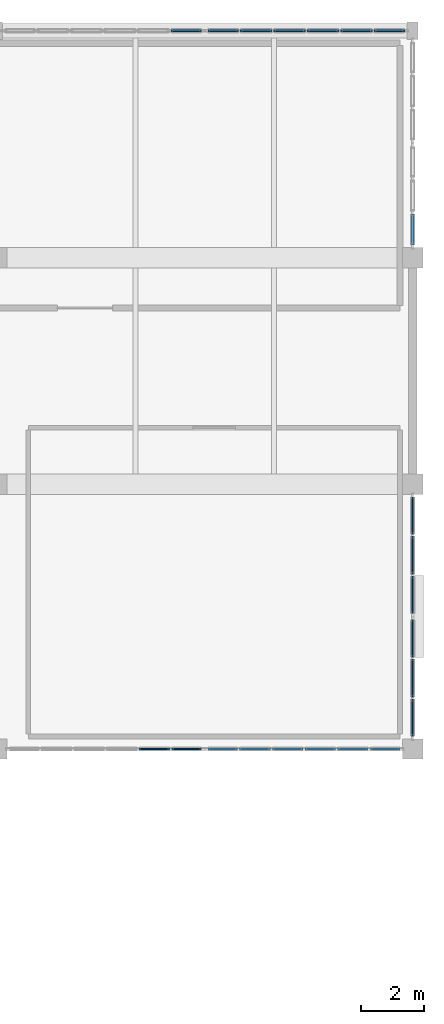
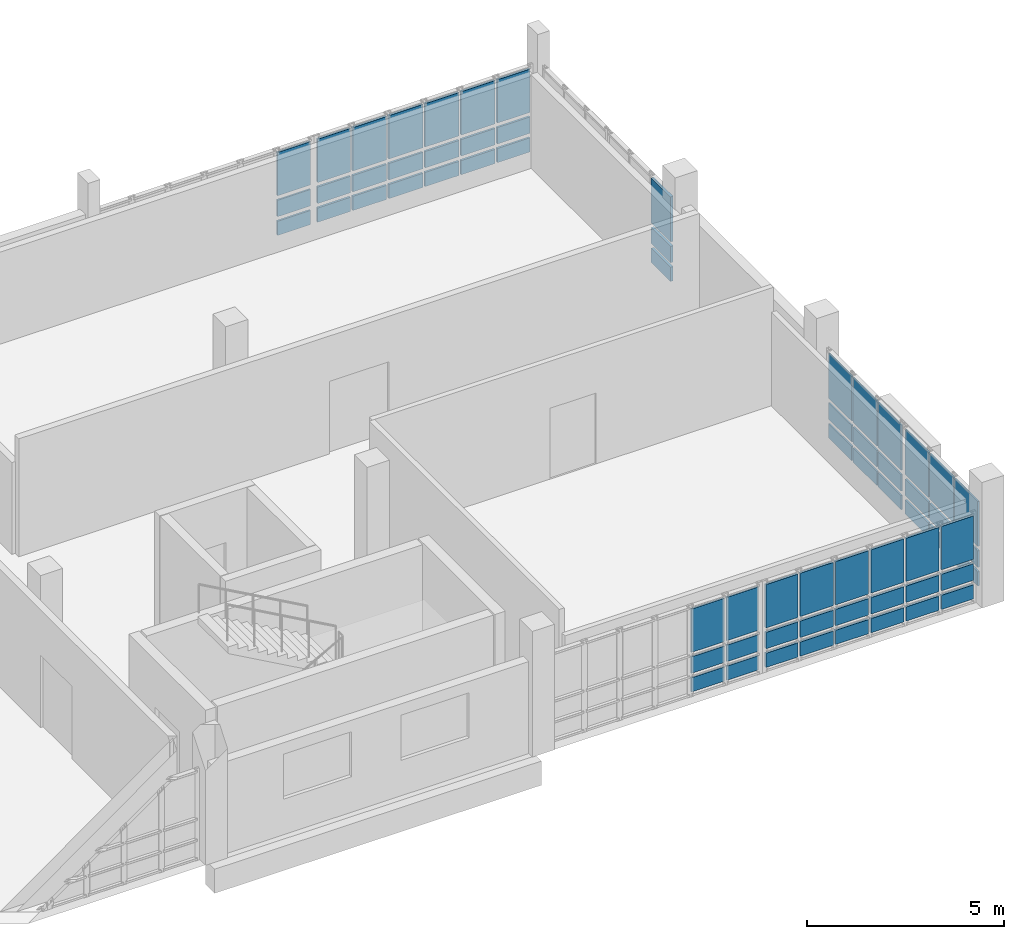
# One storey, part 19 of 25: 66 plates, 7 elements without a shape of their own.
"""IFC4 building model written with IfcOpenShell, lengths in metres."""

from ifc_helpers import new_model, si_unit, direction, frame, origin, origin_2d, place, context, subcontext, project, spatial, rectangle, extrude, material, layer, layer_set, type_object, element, aggregate, save


model = new_model("IFC4")

# Units and contexts
model_context = context("Model", 3, precision=1e-05, world=origin(), true_north=direction((0.0, 1.0)))
body_context = subcontext(model_context, "Body", "Model", "MODEL_VIEW")
ifc_project = project(units=[si_unit("LENGTHUNIT", "METRE"), si_unit("AREAUNIT", "SQUARE_METRE"), si_unit("VOLUMEUNIT", "CUBIC_METRE"), si_unit("PLANEANGLEUNIT", "RADIAN"), si_unit("MASSUNIT", "GRAM", prefix="KILO")], contexts=[model_context])

# Site, building, storey
site_placement = place(None, origin())
site = spatial("IfcSite", under=ifc_project, at=site_placement, CompositionType="ELEMENT")
building_placement = place(site_placement, origin())
building = spatial("IfcBuilding", under=site, at=building_placement, Name="Kisaragi Civic Commons", CompositionType="ELEMENT")
storey_placement = place(building_placement, frame((0.0, 0.0, 13.5)))
storey = spatial("IfcBuildingStorey", under=building, at=storey_placement, Name="L03", CompositionType="ELEMENT", Elevation=13.5)

# Curtain wall, plates
ifc_material = material(Name="Thermally broken anodized aluminium and low-E double glazing", Category="aluminium")
ifc_layer_1 = layer(ifc_material, 0.179931640625, Name="Thermally broken anodized aluminium and low-E double glazing", Category="aluminium")
ifc_layer_set_1 = layer_set([ifc_layer_1], Name="Thermally broken anodized aluminium and low-E double glazing")
curtain_wall_type = type_object("IfcCurtainWallType", Name="CW-01", PredefinedType="NOTDEFINED", material=ifc_layer_set_1)
curtain_wall_1_placement = place(storey_placement, origin())
curtain_wall_1 = element("IfcCurtainWall", 1, at=curtain_wall_1_placement, inside=storey, type_object=curtain_wall_type, Name="L03 curtain wall CW-01 CW-V4-L03-105", PredefinedType="NOTDEFINED")
ifc_layer_2 = layer(ifc_material, 0.0439453125, Name="Thermally broken anodized aluminium and low-E double glazing", Category="aluminium")
ifc_layer_set_2 = layer_set([ifc_layer_2], Name="Thermally broken anodized aluminium and low-E double glazing")
plate_type_1 = type_object("IfcPlateType", Name="CWP-01", PredefinedType="CURTAIN_PANEL", material=ifc_layer_set_2)
plate_1_placement = place(storey_placement, frame((146.39990234375, 103.406982421875, 0.14013671875), z_axis=(0.0, 0.0, 1.0), x_axis=(0.0, -1.0, 0.0)))
plate_1 = element("IfcPlate", 2, at=plate_1_placement, type_object=plate_type_1, Name="CW-01 panel 1.1", PredefinedType="CURTAIN_PANEL", context=body_context, shape_type="SweptSolid", body=[
    extrude(rectangle(XDim=1.17578125, YDim=0.0439453125, at=origin_2d()), origin(), (0.0, 0.0, 1.0), 0.43994140625),
])
plate_2_placement = place(storey_placement, frame((146.39990234375, 103.406982421875, 0.72021484375), z_axis=(0.0, 0.0, 1.0), x_axis=(0.0, -1.0, 0.0)))
plate_2 = element("IfcPlate", 3, at=plate_2_placement, type_object=plate_type_1, Name="CW-01 panel 1.2", PredefinedType="CURTAIN_PANEL", context=body_context, shape_type="SweptSolid", body=[
    extrude(rectangle(XDim=1.17578125, YDim=0.0439453125, at=origin_2d()), origin(), (0.0, 0.0, 1.0), 0.510009765625),
])
plate_3_placement = place(storey_placement, frame((146.39990234375, 103.406982421875, 1.369873046875), z_axis=(0.0, 0.0, 1.0), x_axis=(0.0, -1.0, 0.0)))
plate_3 = element("IfcPlate", 4, at=plate_3_placement, type_object=plate_type_1, Name="CW-01 panel 1.3", PredefinedType="CURTAIN_PANEL", context=body_context, shape_type="SweptSolid", body=[
    extrude(rectangle(XDim=1.17578125, YDim=0.0439453125, at=origin_2d()), origin(), (0.0, 0.0, 1.0), 1.39501953125),
])
plate_4_placement = place(storey_placement, frame((146.39990234375, 102.14990234375, 0.14013671875), z_axis=(0.0, 0.0, 1.0), x_axis=(0.0, -1.0, 0.0)))
plate_4 = element("IfcPlate", 5, at=plate_4_placement, type_object=plate_type_1, Name="CW-01 panel 2.1", PredefinedType="CURTAIN_PANEL", context=body_context, shape_type="SweptSolid", body=[
    extrude(rectangle(XDim=1.208251953125, YDim=0.0439453125, at=origin_2d()), origin(), (0.0, 0.0, 1.0), 0.43994140625),
])
plate_5_placement = place(storey_placement, frame((146.39990234375, 102.14990234375, 0.72021484375), z_axis=(0.0, 0.0, 1.0), x_axis=(0.0, -1.0, 0.0)))
plate_5 = element("IfcPlate", 6, at=plate_5_placement, type_object=plate_type_1, Name="CW-01 panel 2.2", PredefinedType="CURTAIN_PANEL", context=body_context, shape_type="SweptSolid", body=[
    extrude(rectangle(XDim=1.208251953125, YDim=0.0439453125, at=origin_2d()), origin(), (0.0, 0.0, 1.0), 0.510009765625),
])
plate_6_placement = place(storey_placement, frame((146.39990234375, 102.14990234375, 1.369873046875), z_axis=(0.0, 0.0, 1.0), x_axis=(0.0, -1.0, 0.0)))
plate_6 = element("IfcPlate", 7, at=plate_6_placement, type_object=plate_type_1, Name="CW-01 panel 2.3", PredefinedType="CURTAIN_PANEL", context=body_context, shape_type="SweptSolid", body=[
    extrude(rectangle(XDim=1.208251953125, YDim=0.0439453125, at=origin_2d()), origin(), (0.0, 0.0, 1.0), 1.39501953125),
])
plate_7_placement = place(storey_placement, frame((146.39990234375, 100.892822265625, 0.14013671875), z_axis=(0.0, 0.0, 1.0), x_axis=(0.0, -1.0, 0.0)))
plate_7 = element("IfcPlate", 8, at=plate_7_placement, type_object=plate_type_1, Name="CW-01 panel 3.1", PredefinedType="CURTAIN_PANEL", context=body_context, shape_type="SweptSolid", body=[
    extrude(rectangle(XDim=1.17578125, YDim=0.0439453125, at=origin_2d()), origin(), (0.0, 0.0, 1.0), 0.43994140625),
])
plate_8_placement = place(storey_placement, frame((146.39990234375, 100.892822265625, 0.72021484375), z_axis=(0.0, 0.0, 1.0), x_axis=(0.0, -1.0, 0.0)))
plate_8 = element("IfcPlate", 9, at=plate_8_placement, type_object=plate_type_1, Name="CW-01 panel 3.2", PredefinedType="CURTAIN_PANEL", context=body_context, shape_type="SweptSolid", body=[
    extrude(rectangle(XDim=1.17578125, YDim=0.0439453125, at=origin_2d()), origin(), (0.0, 0.0, 1.0), 0.510009765625),
])
plate_9_placement = place(storey_placement, frame((146.39990234375, 100.892822265625, 1.369873046875), z_axis=(0.0, 0.0, 1.0), x_axis=(0.0, -1.0, 0.0)))
plate_9 = element("IfcPlate", 10, at=plate_9_placement, type_object=plate_type_1, Name="CW-01 panel 3.3", PredefinedType="CURTAIN_PANEL", context=body_context, shape_type="SweptSolid", body=[
    extrude(rectangle(XDim=1.17578125, YDim=0.0439453125, at=origin_2d()), origin(), (0.0, 0.0, 1.0), 1.39501953125),
])
aggregate(curtain_wall_1, [plate_1, plate_2, plate_3, plate_4, plate_5, plate_6, plate_7, plate_8, plate_9])

curtain_wall_2_placement = place(storey_placement, origin())
curtain_wall_2 = element("IfcCurtainWall", 11, at=curtain_wall_2_placement, inside=storey, type_object=curtain_wall_type, Name="L03 curtain wall CW-01 CW-V4-L03-106", PredefinedType="NOTDEFINED")
ifc_layer_3 = layer(ifc_material, 0.052001953125, Name="Thermally broken anodized aluminium and low-E double glazing", Category="aluminium")
ifc_layer_set_3 = layer_set([ifc_layer_3], Name="Thermally broken anodized aluminium and low-E double glazing")
plate_type_2 = type_object("IfcPlateType", Name="CWP-02", PredefinedType="CURTAIN_PANEL", material=ifc_layer_set_3)
plate_10_placement = place(storey_placement, frame((146.39990234375, 99.507080078125, 0.14013671875), z_axis=(0.0, 0.0, 1.0), x_axis=(0.0, -1.0, 0.0)))
plate_10 = element("IfcPlate", 12, at=plate_10_placement, type_object=plate_type_2, Name="CW-01 panel 1.1", PredefinedType="CURTAIN_PANEL", context=body_context, shape_type="SweptSolid", body=[
    extrude(rectangle(XDim=1.17578125, YDim=0.052001953125, at=origin_2d()), origin(), (0.0, 0.0, 1.0), 0.43994140625),
])
plate_11_placement = place(storey_placement, frame((146.39990234375, 99.507080078125, 0.72021484375), z_axis=(0.0, 0.0, 1.0), x_axis=(0.0, -1.0, 0.0)))
plate_11 = element("IfcPlate", 13, at=plate_11_placement, type_object=plate_type_2, Name="CW-01 panel 1.2", PredefinedType="CURTAIN_PANEL", context=body_context, shape_type="SweptSolid", body=[
    extrude(rectangle(XDim=1.17578125, YDim=0.052001953125, at=origin_2d()), origin(), (0.0, 0.0, 1.0), 0.510009765625),
])
plate_12_placement = place(storey_placement, frame((146.39990234375, 99.507080078125, 1.369873046875), z_axis=(0.0, 0.0, 1.0), x_axis=(0.0, -1.0, 0.0)))
plate_12 = element("IfcPlate", 14, at=plate_12_placement, type_object=plate_type_2, Name="CW-01 panel 1.3", PredefinedType="CURTAIN_PANEL", context=body_context, shape_type="SweptSolid", body=[
    extrude(rectangle(XDim=1.17578125, YDim=0.052001953125, at=origin_2d()), origin(), (0.0, 0.0, 1.0), 1.39501953125),
])
plate_13_placement = place(storey_placement, frame((146.39990234375, 98.25, 0.14013671875), z_axis=(0.0, 0.0, 1.0), x_axis=(0.0, -1.0, 0.0)))
plate_13 = element("IfcPlate", 15, at=plate_13_placement, type_object=plate_type_2, Name="CW-01 panel 2.1", PredefinedType="CURTAIN_PANEL", context=body_context, shape_type="SweptSolid", body=[
    extrude(rectangle(XDim=1.208251953125, YDim=0.052001953125, at=origin_2d()), origin(), (0.0, 0.0, 1.0), 0.43994140625),
])
plate_14_placement = place(storey_placement, frame((146.39990234375, 98.25, 0.72021484375), z_axis=(0.0, 0.0, 1.0), x_axis=(0.0, -1.0, 0.0)))
plate_14 = element("IfcPlate", 16, at=plate_14_placement, type_object=plate_type_2, Name="CW-01 panel 2.2", PredefinedType="CURTAIN_PANEL", context=body_context, shape_type="SweptSolid", body=[
    extrude(rectangle(XDim=1.208251953125, YDim=0.052001953125, at=origin_2d()), origin(), (0.0, 0.0, 1.0), 0.510009765625),
])
plate_15_placement = place(storey_placement, frame((146.39990234375, 98.25, 1.369873046875), z_axis=(0.0, 0.0, 1.0), x_axis=(0.0, -1.0, 0.0)))
plate_15 = element("IfcPlate", 17, at=plate_15_placement, type_object=plate_type_2, Name="CW-01 panel 2.3", PredefinedType="CURTAIN_PANEL", context=body_context, shape_type="SweptSolid", body=[
    extrude(rectangle(XDim=1.208251953125, YDim=0.052001953125, at=origin_2d()), origin(), (0.0, 0.0, 1.0), 1.39501953125),
])
plate_16_placement = place(storey_placement, frame((146.39990234375, 96.992919921875, 0.14013671875), z_axis=(0.0, 0.0, 1.0), x_axis=(0.0, -1.0, 0.0)))
plate_16 = element("IfcPlate", 18, at=plate_16_placement, type_object=plate_type_2, Name="CW-01 panel 3.1", PredefinedType="CURTAIN_PANEL", context=body_context, shape_type="SweptSolid", body=[
    extrude(rectangle(XDim=1.17578125, YDim=0.052001953125, at=origin_2d()), origin(), (0.0, 0.0, 1.0), 0.43994140625),
])
plate_17_placement = place(storey_placement, frame((146.39990234375, 96.992919921875, 0.72021484375), z_axis=(0.0, 0.0, 1.0), x_axis=(0.0, -1.0, 0.0)))
plate_17 = element("IfcPlate", 19, at=plate_17_placement, type_object=plate_type_2, Name="CW-01 panel 3.2", PredefinedType="CURTAIN_PANEL", context=body_context, shape_type="SweptSolid", body=[
    extrude(rectangle(XDim=1.17578125, YDim=0.052001953125, at=origin_2d()), origin(), (0.0, 0.0, 1.0), 0.510009765625),
])
plate_18_placement = place(storey_placement, frame((146.39990234375, 96.992919921875, 1.369873046875), z_axis=(0.0, 0.0, 1.0), x_axis=(0.0, -1.0, 0.0)))
plate_18 = element("IfcPlate", 20, at=plate_18_placement, type_object=plate_type_2, Name="CW-01 panel 3.3", PredefinedType="CURTAIN_PANEL", context=body_context, shape_type="SweptSolid", body=[
    extrude(rectangle(XDim=1.17578125, YDim=0.052001953125, at=origin_2d()), origin(), (0.0, 0.0, 1.0), 1.39501953125),
])
aggregate(curtain_wall_2, [plate_10, plate_11, plate_12, plate_13, plate_14, plate_15, plate_16, plate_17, plate_18])

curtain_wall_3_placement = place(storey_placement, origin())
curtain_wall_3 = element("IfcCurtainWall", 21, at=curtain_wall_3_placement, inside=storey, type_object=curtain_wall_type, Name="L03 curtain wall CW-01 CW-V4-L03-107", PredefinedType="NOTDEFINED")
ifc_layer_4 = layer(ifc_material, 0.06396484375, Name="Thermally broken anodized aluminium and low-E double glazing", Category="aluminium")
ifc_layer_set_4 = layer_set([ifc_layer_4], Name="Thermally broken anodized aluminium and low-E double glazing")
plate_type_3 = type_object("IfcPlateType", Name="CWP-04", PredefinedType="CURTAIN_PANEL", material=ifc_layer_set_4)
plate_19_placement = place(storey_placement, frame((145.525390625, 96.0, 0.14013671875), z_axis=(0.0, 0.0, 1.0), x_axis=(-1.0, 0.0, 0.0)))
plate_19 = element("IfcPlate", 22, at=plate_19_placement, type_object=plate_type_3, Name="CW-01 panel 1.1", PredefinedType="CURTAIN_PANEL", context=body_context, shape_type="SweptSolid", body=[
    extrude(rectangle(XDim=0.939208984375, YDim=0.06396484375, at=origin_2d()), origin(), (0.0, 0.0, 1.0), 0.43994140625),
])
plate_20_placement = place(storey_placement, frame((145.525390625, 96.0, 0.72021484375), z_axis=(0.0, 0.0, 1.0), x_axis=(-1.0, 0.0, 0.0)))
plate_20 = element("IfcPlate", 23, at=plate_20_placement, type_object=plate_type_3, Name="CW-01 panel 1.2", PredefinedType="CURTAIN_PANEL", context=body_context, shape_type="SweptSolid", body=[
    extrude(rectangle(XDim=0.939208984375, YDim=0.06396484375, at=origin_2d()), origin(), (0.0, 0.0, 1.0), 0.510009765625),
])
plate_21_placement = place(storey_placement, frame((145.525390625, 96.0, 1.3701171875), z_axis=(0.0, 0.0, 1.0), x_axis=(-1.0, 0.0, 0.0)))
plate_21 = element("IfcPlate", 24, at=plate_21_placement, type_object=plate_type_3, Name="CW-01 panel 1.3", PredefinedType="CURTAIN_PANEL", context=body_context, shape_type="SweptSolid", body=[
    extrude(rectangle(XDim=0.939208984375, YDim=0.06396484375, at=origin_2d()), origin(), (0.0, 0.0, 1.0), 1.344970703125),
])
plate_22_placement = place(storey_placement, frame((144.5048828125, 96.0, 0.14013671875), z_axis=(0.0, 0.0, 1.0), x_axis=(-1.0, 0.0, 0.0)))
plate_22 = element("IfcPlate", 25, at=plate_22_placement, type_object=plate_type_3, Name="CW-01 panel 2.1", PredefinedType="CURTAIN_PANEL", context=body_context, shape_type="SweptSolid", body=[
    extrude(rectangle(XDim=0.9716796875, YDim=0.06396484375, at=origin_2d()), origin(), (0.0, 0.0, 1.0), 0.43994140625),
])
plate_23_placement = place(storey_placement, frame((144.5048828125, 96.0, 0.72021484375), z_axis=(0.0, 0.0, 1.0), x_axis=(-1.0, 0.0, 0.0)))
plate_23 = element("IfcPlate", 26, at=plate_23_placement, type_object=plate_type_3, Name="CW-01 panel 2.2", PredefinedType="CURTAIN_PANEL", context=body_context, shape_type="SweptSolid", body=[
    extrude(rectangle(XDim=0.9716796875, YDim=0.06396484375, at=origin_2d()), origin(), (0.0, 0.0, 1.0), 0.510009765625),
])
plate_24_placement = place(storey_placement, frame((144.5048828125, 96.0, 1.3701171875), z_axis=(0.0, 0.0, 1.0), x_axis=(-1.0, 0.0, 0.0)))
plate_24 = element("IfcPlate", 27, at=plate_24_placement, type_object=plate_type_3, Name="CW-01 panel 2.3", PredefinedType="CURTAIN_PANEL", context=body_context, shape_type="SweptSolid", body=[
    extrude(rectangle(XDim=0.9716796875, YDim=0.06396484375, at=origin_2d()), origin(), (0.0, 0.0, 1.0), 1.344970703125),
])
plate_25_placement = place(storey_placement, frame((143.46826171875, 96.0, 0.14013671875), z_axis=(0.0, 0.0, 1.0), x_axis=(-1.0, 0.0, 0.0)))
plate_25 = element("IfcPlate", 28, at=plate_25_placement, type_object=plate_type_3, Name="CW-01 panel 3.1", PredefinedType="CURTAIN_PANEL", context=body_context, shape_type="SweptSolid", body=[
    extrude(rectangle(XDim=0.9716796875, YDim=0.06396484375, at=origin_2d()), origin(), (0.0, 0.0, 1.0), 0.43994140625),
])
plate_26_placement = place(storey_placement, frame((143.46826171875, 96.0, 0.72021484375), z_axis=(0.0, 0.0, 1.0), x_axis=(-1.0, 0.0, 0.0)))
plate_26 = element("IfcPlate", 29, at=plate_26_placement, type_object=plate_type_3, Name="CW-01 panel 3.2", PredefinedType="CURTAIN_PANEL", context=body_context, shape_type="SweptSolid", body=[
    extrude(rectangle(XDim=0.9716796875, YDim=0.06396484375, at=origin_2d()), origin(), (0.0, 0.0, 1.0), 0.510009765625),
])
plate_27_placement = place(storey_placement, frame((143.46826171875, 96.0, 1.3701171875), z_axis=(0.0, 0.0, 1.0), x_axis=(-1.0, 0.0, 0.0)))
plate_27 = element("IfcPlate", 30, at=plate_27_placement, type_object=plate_type_3, Name="CW-01 panel 3.3", PredefinedType="CURTAIN_PANEL", context=body_context, shape_type="SweptSolid", body=[
    extrude(rectangle(XDim=0.9716796875, YDim=0.06396484375, at=origin_2d()), origin(), (0.0, 0.0, 1.0), 1.344970703125),
])
plate_28_placement = place(storey_placement, frame((142.431640625, 96.0, 0.14013671875), z_axis=(0.0, 0.0, 1.0), x_axis=(-1.0, 0.0, 0.0)))
plate_28 = element("IfcPlate", 31, at=plate_28_placement, type_object=plate_type_3, Name="CW-01 panel 4.1", PredefinedType="CURTAIN_PANEL", context=body_context, shape_type="SweptSolid", body=[
    extrude(rectangle(XDim=0.9716796875, YDim=0.06396484375, at=origin_2d()), origin(), (0.0, 0.0, 1.0), 0.43994140625),
])
plate_29_placement = place(storey_placement, frame((142.431640625, 96.0, 0.72021484375), z_axis=(0.0, 0.0, 1.0), x_axis=(-1.0, 0.0, 0.0)))
plate_29 = element("IfcPlate", 32, at=plate_29_placement, type_object=plate_type_3, Name="CW-01 panel 4.2", PredefinedType="CURTAIN_PANEL", context=body_context, shape_type="SweptSolid", body=[
    extrude(rectangle(XDim=0.9716796875, YDim=0.06396484375, at=origin_2d()), origin(), (0.0, 0.0, 1.0), 0.510009765625),
])
plate_30_placement = place(storey_placement, frame((142.431640625, 96.0, 1.3701171875), z_axis=(0.0, 0.0, 1.0), x_axis=(-1.0, 0.0, 0.0)))
plate_30 = element("IfcPlate", 33, at=plate_30_placement, type_object=plate_type_3, Name="CW-01 panel 4.3", PredefinedType="CURTAIN_PANEL", context=body_context, shape_type="SweptSolid", body=[
    extrude(rectangle(XDim=0.9716796875, YDim=0.06396484375, at=origin_2d()), origin(), (0.0, 0.0, 1.0), 1.344970703125),
])
plate_31_placement = place(storey_placement, frame((141.39501953125, 96.0, 0.14013671875), z_axis=(0.0, 0.0, 1.0), x_axis=(-1.0, 0.0, 0.0)))
plate_31 = element("IfcPlate", 34, at=plate_31_placement, type_object=plate_type_3, Name="CW-01 panel 5.1", PredefinedType="CURTAIN_PANEL", context=body_context, shape_type="SweptSolid", body=[
    extrude(rectangle(XDim=0.9716796875, YDim=0.06396484375, at=origin_2d()), origin(), (0.0, 0.0, 1.0), 0.43994140625),
])
plate_32_placement = place(storey_placement, frame((141.39501953125, 96.0, 0.72021484375), z_axis=(0.0, 0.0, 1.0), x_axis=(-1.0, 0.0, 0.0)))
plate_32 = element("IfcPlate", 35, at=plate_32_placement, type_object=plate_type_3, Name="CW-01 panel 5.2", PredefinedType="CURTAIN_PANEL", context=body_context, shape_type="SweptSolid", body=[
    extrude(rectangle(XDim=0.9716796875, YDim=0.06396484375, at=origin_2d()), origin(), (0.0, 0.0, 1.0), 0.510009765625),
])
plate_33_placement = place(storey_placement, frame((141.39501953125, 96.0, 1.3701171875), z_axis=(0.0, 0.0, 1.0), x_axis=(-1.0, 0.0, 0.0)))
plate_33 = element("IfcPlate", 36, at=plate_33_placement, type_object=plate_type_3, Name="CW-01 panel 5.3", PredefinedType="CURTAIN_PANEL", context=body_context, shape_type="SweptSolid", body=[
    extrude(rectangle(XDim=0.9716796875, YDim=0.06396484375, at=origin_2d()), origin(), (0.0, 0.0, 1.0), 1.344970703125),
])
plate_34_placement = place(storey_placement, frame((140.37451171875, 96.0, 0.14013671875), z_axis=(0.0, 0.0, 1.0), x_axis=(-1.0, 0.0, 0.0)))
plate_34 = element("IfcPlate", 37, at=plate_34_placement, type_object=plate_type_3, Name="CW-01 panel 6.1", PredefinedType="CURTAIN_PANEL", context=body_context, shape_type="SweptSolid", body=[
    extrude(rectangle(XDim=0.939208984375, YDim=0.06396484375, at=origin_2d()), origin(), (0.0, 0.0, 1.0), 0.43994140625),
])
plate_35_placement = place(storey_placement, frame((140.37451171875, 96.0, 0.72021484375), z_axis=(0.0, 0.0, 1.0), x_axis=(-1.0, 0.0, 0.0)))
plate_35 = element("IfcPlate", 38, at=plate_35_placement, type_object=plate_type_3, Name="CW-01 panel 6.2", PredefinedType="CURTAIN_PANEL", context=body_context, shape_type="SweptSolid", body=[
    extrude(rectangle(XDim=0.939208984375, YDim=0.06396484375, at=origin_2d()), origin(), (0.0, 0.0, 1.0), 0.510009765625),
])
plate_36_placement = place(storey_placement, frame((140.37451171875, 96.0, 1.3701171875), z_axis=(0.0, 0.0, 1.0), x_axis=(-1.0, 0.0, 0.0)))
plate_36 = element("IfcPlate", 39, at=plate_36_placement, type_object=plate_type_3, Name="CW-01 panel 6.3", PredefinedType="CURTAIN_PANEL", context=body_context, shape_type="SweptSolid", body=[
    extrude(rectangle(XDim=0.939208984375, YDim=0.06396484375, at=origin_2d()), origin(), (0.0, 0.0, 1.0), 1.344970703125),
])
aggregate(curtain_wall_3, [plate_19, plate_20, plate_21, plate_22, plate_23, plate_24, plate_25, plate_26, plate_27, plate_28, plate_29, plate_30, plate_31, plate_32, plate_33, plate_34, plate_35, plate_36])

curtain_wall_4_placement = place(storey_placement, origin())
curtain_wall_4 = element("IfcCurtainWall", 40, at=curtain_wall_4_placement, inside=storey, type_object=curtain_wall_type, Name="L03 curtain wall CW-01 CW-V4-L03-108", PredefinedType="NOTDEFINED")
ifc_layer_5 = layer(ifc_material, 0.048095703125, Name="Thermally broken anodized aluminium and low-E double glazing", Category="aluminium")
ifc_layer_set_5 = layer_set([ifc_layer_5], Name="Thermally broken anodized aluminium and low-E double glazing")
plate_type_4 = type_object("IfcPlateType", Name="CWP-05", PredefinedType="CURTAIN_PANEL", material=ifc_layer_set_5)
plate_37_placement = place(storey_placement, frame((139.225341796875, 96.0, 0.14013671875), z_axis=(0.0, 0.0, 1.0), x_axis=(-1.0, 0.0, 0.0)))
plate_37 = element("IfcPlate", 41, at=plate_37_placement, type_object=plate_type_4, Name="CW-01 panel 1.1", PredefinedType="CURTAIN_PANEL", context=body_context, shape_type="SweptSolid", body=[
    extrude(rectangle(XDim=0.939208984375, YDim=0.048095703125, at=origin_2d()), origin(), (0.0, 0.0, 1.0), 0.43994140625),
])
plate_38_placement = place(storey_placement, frame((139.225341796875, 96.0, 0.72021484375), z_axis=(0.0, 0.0, 1.0), x_axis=(-1.0, 0.0, 0.0)))
plate_38 = element("IfcPlate", 42, at=plate_38_placement, type_object=plate_type_4, Name="CW-01 panel 1.2", PredefinedType="CURTAIN_PANEL", context=body_context, shape_type="SweptSolid", body=[
    extrude(rectangle(XDim=0.939208984375, YDim=0.048095703125, at=origin_2d()), origin(), (0.0, 0.0, 1.0), 0.510009765625),
])
plate_39_placement = place(storey_placement, frame((139.225341796875, 96.0, 1.3701171875), z_axis=(0.0, 0.0, 1.0), x_axis=(-1.0, 0.0, 0.0)))
plate_39 = element("IfcPlate", 43, at=plate_39_placement, type_object=plate_type_4, Name="CW-01 panel 1.3", PredefinedType="CURTAIN_PANEL", context=body_context, shape_type="SweptSolid", body=[
    extrude(rectangle(XDim=0.939208984375, YDim=0.048095703125, at=origin_2d()), origin(), (0.0, 0.0, 1.0), 1.344970703125),
])
plate_40_placement = place(storey_placement, frame((138.205078125, 96.0, 0.14013671875), z_axis=(0.0, 0.0, 1.0), x_axis=(-1.0, 0.0, 0.0)))
plate_40 = element("IfcPlate", 44, at=plate_40_placement, type_object=plate_type_4, Name="CW-01 panel 2.1", PredefinedType="CURTAIN_PANEL", context=body_context, shape_type="SweptSolid", body=[
    extrude(rectangle(XDim=0.9716796875, YDim=0.048095703125, at=origin_2d()), origin(), (0.0, 0.0, 1.0), 0.43994140625),
])
plate_41_placement = place(storey_placement, frame((138.205078125, 96.0, 0.72021484375), z_axis=(0.0, 0.0, 1.0), x_axis=(-1.0, 0.0, 0.0)))
plate_41 = element("IfcPlate", 45, at=plate_41_placement, type_object=plate_type_4, Name="CW-01 panel 2.2", PredefinedType="CURTAIN_PANEL", context=body_context, shape_type="SweptSolid", body=[
    extrude(rectangle(XDim=0.9716796875, YDim=0.048095703125, at=origin_2d()), origin(), (0.0, 0.0, 1.0), 0.510009765625),
])
plate_42_placement = place(storey_placement, frame((138.205078125, 96.0, 1.3701171875), z_axis=(0.0, 0.0, 1.0), x_axis=(-1.0, 0.0, 0.0)))
plate_42 = element("IfcPlate", 46, at=plate_42_placement, type_object=plate_type_4, Name="CW-01 panel 2.3", PredefinedType="CURTAIN_PANEL", context=body_context, shape_type="SweptSolid", body=[
    extrude(rectangle(XDim=0.9716796875, YDim=0.048095703125, at=origin_2d()), origin(), (0.0, 0.0, 1.0), 1.344970703125),
])
aggregate(curtain_wall_4, [plate_37, plate_38, plate_39, plate_40, plate_41, plate_42])

curtain_wall_5_placement = place(storey_placement, origin())
curtain_wall_5 = element("IfcCurtainWall", 47, at=curtain_wall_5_placement, inside=storey, type_object=curtain_wall_type, Name="L03 curtain wall CW-01 CW-V4-L03-101", PredefinedType="NOTDEFINED")
ifc_layer_6 = layer(ifc_material, 0.053955078125, Name="Thermally broken anodized aluminium and low-E double glazing", Category="aluminium")
ifc_layer_set_6 = layer_set([ifc_layer_6], Name="Thermally broken anodized aluminium and low-E double glazing")
plate_type_5 = type_object("IfcPlateType", Name="CWP-15", PredefinedType="CURTAIN_PANEL", material=ifc_layer_set_6)
plate_43_placement = place(storey_placement, frame((139.212890625, 118.800048828125, 0.14013671875), z_axis=(0.0, 0.0, 1.0), x_axis=(1.0, 0.0, 0.0)))
plate_43 = element("IfcPlate", 48, at=plate_43_placement, type_object=plate_type_5, Name="CW-01 panel 6.1", PredefinedType="CURTAIN_PANEL", context=body_context, shape_type="SweptSolid", body=[
    extrude(rectangle(XDim=0.964111328125, YDim=0.053955078125, at=origin_2d()), origin(), (0.0, 0.0, 1.0), 0.43994140625),
])
plate_44_placement = place(storey_placement, frame((139.212890625, 118.800048828125, 0.72021484375), z_axis=(0.0, 0.0, 1.0), x_axis=(1.0, 0.0, 0.0)))
plate_44 = element("IfcPlate", 49, at=plate_44_placement, type_object=plate_type_5, Name="CW-01 panel 6.2", PredefinedType="CURTAIN_PANEL", context=body_context, shape_type="SweptSolid", body=[
    extrude(rectangle(XDim=0.964111328125, YDim=0.053955078125, at=origin_2d()), origin(), (0.0, 0.0, 1.0), 0.510009765625),
])
plate_45_placement = place(storey_placement, frame((139.212890625, 118.800048828125, 1.3701171875), z_axis=(0.0, 0.0, 1.0), x_axis=(1.0, 0.0, 0.0)))
plate_45 = element("IfcPlate", 50, at=plate_45_placement, type_object=plate_type_5, Name="CW-01 panel 6.3", PredefinedType="CURTAIN_PANEL", context=body_context, shape_type="SweptSolid", body=[
    extrude(rectangle(XDim=0.964111328125, YDim=0.053955078125, at=origin_2d()), origin(), (0.0, 0.0, 1.0), 1.344970703125),
])
aggregate(curtain_wall_5, [plate_43, plate_44, plate_45])

curtain_wall_6_placement = place(storey_placement, origin())
curtain_wall_6 = element("IfcCurtainWall", 51, at=curtain_wall_6_placement, inside=storey, type_object=curtain_wall_type, Name="L03 curtain wall CW-01 CW-V4-L03-102", PredefinedType="NOTDEFINED")
ifc_layer_7 = layer(ifc_material, 0.06201171875, Name="Thermally broken anodized aluminium and low-E double glazing", Category="aluminium")
ifc_layer_set_7 = layer_set([ifc_layer_7], Name="Thermally broken anodized aluminium and low-E double glazing")
plate_type_6 = type_object("IfcPlateType", Name="CWP-16", PredefinedType="CURTAIN_PANEL", material=ifc_layer_set_7)
plate_46_placement = place(storey_placement, frame((140.386962890625, 118.800048828125, 0.14013671875), z_axis=(0.0, 0.0, 1.0), x_axis=(1.0, 0.0, 0.0)))
plate_46 = element("IfcPlate", 52, at=plate_46_placement, type_object=plate_type_6, Name="CW-01 panel 1.1", PredefinedType="CURTAIN_PANEL", context=body_context, shape_type="SweptSolid", body=[
    extrude(rectangle(XDim=0.964111328125, YDim=0.06201171875, at=origin_2d()), origin(), (0.0, 0.0, 1.0), 0.43994140625),
])
plate_47_placement = place(storey_placement, frame((140.386962890625, 118.800048828125, 0.72021484375), z_axis=(0.0, 0.0, 1.0), x_axis=(1.0, 0.0, 0.0)))
plate_47 = element("IfcPlate", 53, at=plate_47_placement, type_object=plate_type_6, Name="CW-01 panel 1.2", PredefinedType="CURTAIN_PANEL", context=body_context, shape_type="SweptSolid", body=[
    extrude(rectangle(XDim=0.964111328125, YDim=0.06201171875, at=origin_2d()), origin(), (0.0, 0.0, 1.0), 0.510009765625),
])
plate_48_placement = place(storey_placement, frame((140.386962890625, 118.800048828125, 1.3701171875), z_axis=(0.0, 0.0, 1.0), x_axis=(1.0, 0.0, 0.0)))
plate_48 = element("IfcPlate", 54, at=plate_48_placement, type_object=plate_type_6, Name="CW-01 panel 1.3", PredefinedType="CURTAIN_PANEL", context=body_context, shape_type="SweptSolid", body=[
    extrude(rectangle(XDim=0.964111328125, YDim=0.06201171875, at=origin_2d()), origin(), (0.0, 0.0, 1.0), 1.344970703125),
])
plate_49_placement = place(storey_placement, frame((141.4326171875, 118.800048828125, 0.14013671875), z_axis=(0.0, 0.0, 1.0), x_axis=(1.0, 0.0, 0.0)))
plate_49 = element("IfcPlate", 55, at=plate_49_placement, type_object=plate_type_6, Name="CW-01 panel 2.1", PredefinedType="CURTAIN_PANEL", context=body_context, shape_type="SweptSolid", body=[
    extrude(rectangle(XDim=0.99658203125, YDim=0.06201171875, at=origin_2d()), origin(), (0.0, 0.0, 1.0), 0.43994140625),
])
plate_50_placement = place(storey_placement, frame((141.4326171875, 118.800048828125, 0.72021484375), z_axis=(0.0, 0.0, 1.0), x_axis=(1.0, 0.0, 0.0)))
plate_50 = element("IfcPlate", 56, at=plate_50_placement, type_object=plate_type_6, Name="CW-01 panel 2.2", PredefinedType="CURTAIN_PANEL", context=body_context, shape_type="SweptSolid", body=[
    extrude(rectangle(XDim=0.99658203125, YDim=0.06201171875, at=origin_2d()), origin(), (0.0, 0.0, 1.0), 0.510009765625),
])
plate_51_placement = place(storey_placement, frame((141.4326171875, 118.800048828125, 1.3701171875), z_axis=(0.0, 0.0, 1.0), x_axis=(1.0, 0.0, 0.0)))
plate_51 = element("IfcPlate", 57, at=plate_51_placement, type_object=plate_type_6, Name="CW-01 panel 2.3", PredefinedType="CURTAIN_PANEL", context=body_context, shape_type="SweptSolid", body=[
    extrude(rectangle(XDim=0.99658203125, YDim=0.06201171875, at=origin_2d()), origin(), (0.0, 0.0, 1.0), 1.344970703125),
])
plate_52_placement = place(storey_placement, frame((142.494140625, 118.800048828125, 0.14013671875), z_axis=(0.0, 0.0, 1.0), x_axis=(1.0, 0.0, 0.0)))
plate_52 = element("IfcPlate", 58, at=plate_52_placement, type_object=plate_type_6, Name="CW-01 panel 3.1", PredefinedType="CURTAIN_PANEL", context=body_context, shape_type="SweptSolid", body=[
    extrude(rectangle(XDim=0.99658203125, YDim=0.06201171875, at=origin_2d()), origin(), (0.0, 0.0, 1.0), 0.43994140625),
])
plate_53_placement = place(storey_placement, frame((142.494140625, 118.800048828125, 0.72021484375), z_axis=(0.0, 0.0, 1.0), x_axis=(1.0, 0.0, 0.0)))
plate_53 = element("IfcPlate", 59, at=plate_53_placement, type_object=plate_type_6, Name="CW-01 panel 3.2", PredefinedType="CURTAIN_PANEL", context=body_context, shape_type="SweptSolid", body=[
    extrude(rectangle(XDim=0.99658203125, YDim=0.06201171875, at=origin_2d()), origin(), (0.0, 0.0, 1.0), 0.510009765625),
])
plate_54_placement = place(storey_placement, frame((142.494140625, 118.800048828125, 1.3701171875), z_axis=(0.0, 0.0, 1.0), x_axis=(1.0, 0.0, 0.0)))
plate_54 = element("IfcPlate", 60, at=plate_54_placement, type_object=plate_type_6, Name="CW-01 panel 3.3", PredefinedType="CURTAIN_PANEL", context=body_context, shape_type="SweptSolid", body=[
    extrude(rectangle(XDim=0.99658203125, YDim=0.06201171875, at=origin_2d()), origin(), (0.0, 0.0, 1.0), 1.344970703125),
])
plate_55_placement = place(storey_placement, frame((143.555908203125, 118.800048828125, 0.14013671875), z_axis=(0.0, 0.0, 1.0), x_axis=(1.0, 0.0, 0.0)))
plate_55 = element("IfcPlate", 61, at=plate_55_placement, type_object=plate_type_6, Name="CW-01 panel 4.1", PredefinedType="CURTAIN_PANEL", context=body_context, shape_type="SweptSolid", body=[
    extrude(rectangle(XDim=0.99658203125, YDim=0.06201171875, at=origin_2d()), origin(), (0.0, 0.0, 1.0), 0.43994140625),
])
plate_56_placement = place(storey_placement, frame((143.555908203125, 118.800048828125, 0.72021484375), z_axis=(0.0, 0.0, 1.0), x_axis=(1.0, 0.0, 0.0)))
plate_56 = element("IfcPlate", 62, at=plate_56_placement, type_object=plate_type_6, Name="CW-01 panel 4.2", PredefinedType="CURTAIN_PANEL", context=body_context, shape_type="SweptSolid", body=[
    extrude(rectangle(XDim=0.99658203125, YDim=0.06201171875, at=origin_2d()), origin(), (0.0, 0.0, 1.0), 0.510009765625),
])
plate_57_placement = place(storey_placement, frame((143.555908203125, 118.800048828125, 1.3701171875), z_axis=(0.0, 0.0, 1.0), x_axis=(1.0, 0.0, 0.0)))
plate_57 = element("IfcPlate", 63, at=plate_57_placement, type_object=plate_type_6, Name="CW-01 panel 4.3", PredefinedType="CURTAIN_PANEL", context=body_context, shape_type="SweptSolid", body=[
    extrude(rectangle(XDim=0.99658203125, YDim=0.06201171875, at=origin_2d()), origin(), (0.0, 0.0, 1.0), 1.344970703125),
])
plate_58_placement = place(storey_placement, frame((144.617431640625, 118.800048828125, 0.14013671875), z_axis=(0.0, 0.0, 1.0), x_axis=(1.0, 0.0, 0.0)))
plate_58 = element("IfcPlate", 64, at=plate_58_placement, type_object=plate_type_6, Name="CW-01 panel 5.1", PredefinedType="CURTAIN_PANEL", context=body_context, shape_type="SweptSolid", body=[
    extrude(rectangle(XDim=0.99658203125, YDim=0.06201171875, at=origin_2d()), origin(), (0.0, 0.0, 1.0), 0.43994140625),
])
plate_59_placement = place(storey_placement, frame((144.617431640625, 118.800048828125, 0.72021484375), z_axis=(0.0, 0.0, 1.0), x_axis=(1.0, 0.0, 0.0)))
plate_59 = element("IfcPlate", 65, at=plate_59_placement, type_object=plate_type_6, Name="CW-01 panel 5.2", PredefinedType="CURTAIN_PANEL", context=body_context, shape_type="SweptSolid", body=[
    extrude(rectangle(XDim=0.99658203125, YDim=0.06201171875, at=origin_2d()), origin(), (0.0, 0.0, 1.0), 0.510009765625),
])
plate_60_placement = place(storey_placement, frame((144.617431640625, 118.800048828125, 1.3701171875), z_axis=(0.0, 0.0, 1.0), x_axis=(1.0, 0.0, 0.0)))
plate_60 = element("IfcPlate", 66, at=plate_60_placement, type_object=plate_type_6, Name="CW-01 panel 5.3", PredefinedType="CURTAIN_PANEL", context=body_context, shape_type="SweptSolid", body=[
    extrude(rectangle(XDim=0.99658203125, YDim=0.06201171875, at=origin_2d()), origin(), (0.0, 0.0, 1.0), 1.344970703125),
])
plate_61_placement = place(storey_placement, frame((145.662841796875, 118.800048828125, 0.14013671875), z_axis=(0.0, 0.0, 1.0), x_axis=(1.0, 0.0, 0.0)))
plate_61 = element("IfcPlate", 67, at=plate_61_placement, type_object=plate_type_6, Name="CW-01 panel 6.1", PredefinedType="CURTAIN_PANEL", context=body_context, shape_type="SweptSolid", body=[
    extrude(rectangle(XDim=0.964111328125, YDim=0.06201171875, at=origin_2d()), origin(), (0.0, 0.0, 1.0), 0.43994140625),
])
plate_62_placement = place(storey_placement, frame((145.662841796875, 118.800048828125, 0.72021484375), z_axis=(0.0, 0.0, 1.0), x_axis=(1.0, 0.0, 0.0)))
plate_62 = element("IfcPlate", 68, at=plate_62_placement, type_object=plate_type_6, Name="CW-01 panel 6.2", PredefinedType="CURTAIN_PANEL", context=body_context, shape_type="SweptSolid", body=[
    extrude(rectangle(XDim=0.964111328125, YDim=0.06201171875, at=origin_2d()), origin(), (0.0, 0.0, 1.0), 0.510009765625),
])
plate_63_placement = place(storey_placement, frame((145.662841796875, 118.800048828125, 1.3701171875), z_axis=(0.0, 0.0, 1.0), x_axis=(1.0, 0.0, 0.0)))
plate_63 = element("IfcPlate", 69, at=plate_63_placement, type_object=plate_type_6, Name="CW-01 panel 6.3", PredefinedType="CURTAIN_PANEL", context=body_context, shape_type="SweptSolid", body=[
    extrude(rectangle(XDim=0.964111328125, YDim=0.06201171875, at=origin_2d()), origin(), (0.0, 0.0, 1.0), 1.344970703125),
])
aggregate(curtain_wall_6, [plate_46, plate_47, plate_48, plate_49, plate_50, plate_51, plate_52, plate_53, plate_54, plate_55, plate_56, plate_57, plate_58, plate_59, plate_60, plate_61, plate_62, plate_63])

curtain_wall_7_placement = place(storey_placement, origin())
curtain_wall_7 = element("IfcCurtainWall", 70, at=curtain_wall_7_placement, inside=storey, type_object=curtain_wall_type, Name="L03 curtain wall CW-01 CW-V4-L03-104", PredefinedType="NOTDEFINED")
ifc_layer_8 = layer(ifc_material, 0.077880859375, Name="Thermally broken anodized aluminium and low-E double glazing", Category="aluminium")
ifc_layer_set_8 = layer_set([ifc_layer_8], Name="Thermally broken anodized aluminium and low-E double glazing")
plate_type_7 = type_object("IfcPlateType", Name="CWP-18", PredefinedType="CURTAIN_PANEL", material=ifc_layer_set_8)
plate_64_placement = place(storey_placement, frame((146.39990234375, 112.4970703125, 0.14013671875), z_axis=(0.0, 0.0, 1.0), x_axis=(0.0, -1.0, 0.0)))
plate_64 = element("IfcPlate", 71, at=plate_64_placement, type_object=plate_type_7, Name="CW-01 panel 3.1", PredefinedType="CURTAIN_PANEL", context=body_context, shape_type="SweptSolid", body=[
    extrude(rectangle(XDim=0.984130859375, YDim=0.077880859375, at=origin_2d()), origin(), (0.0, 0.0, 1.0), 0.43994140625),
])
plate_65_placement = place(storey_placement, frame((146.39990234375, 112.4970703125, 0.72021484375), z_axis=(0.0, 0.0, 1.0), x_axis=(0.0, -1.0, 0.0)))
plate_65 = element("IfcPlate", 72, at=plate_65_placement, type_object=plate_type_7, Name="CW-01 panel 3.2", PredefinedType="CURTAIN_PANEL", context=body_context, shape_type="SweptSolid", body=[
    extrude(rectangle(XDim=0.984130859375, YDim=0.077880859375, at=origin_2d()), origin(), (0.0, 0.0, 1.0), 0.510009765625),
])
plate_66_placement = place(storey_placement, frame((146.39990234375, 112.4970703125, 1.369873046875), z_axis=(0.0, 0.0, 1.0), x_axis=(0.0, -1.0, 0.0)))
plate_66 = element("IfcPlate", 73, at=plate_66_placement, type_object=plate_type_7, Name="CW-01 panel 3.3", PredefinedType="CURTAIN_PANEL", context=body_context, shape_type="SweptSolid", body=[
    extrude(rectangle(XDim=0.984130859375, YDim=0.077880859375, at=origin_2d()), origin(), (0.0, 0.0, 1.0), 1.39501953125),
])
aggregate(curtain_wall_7, [plate_64, plate_65, plate_66])

save(model, "model.ifc")
